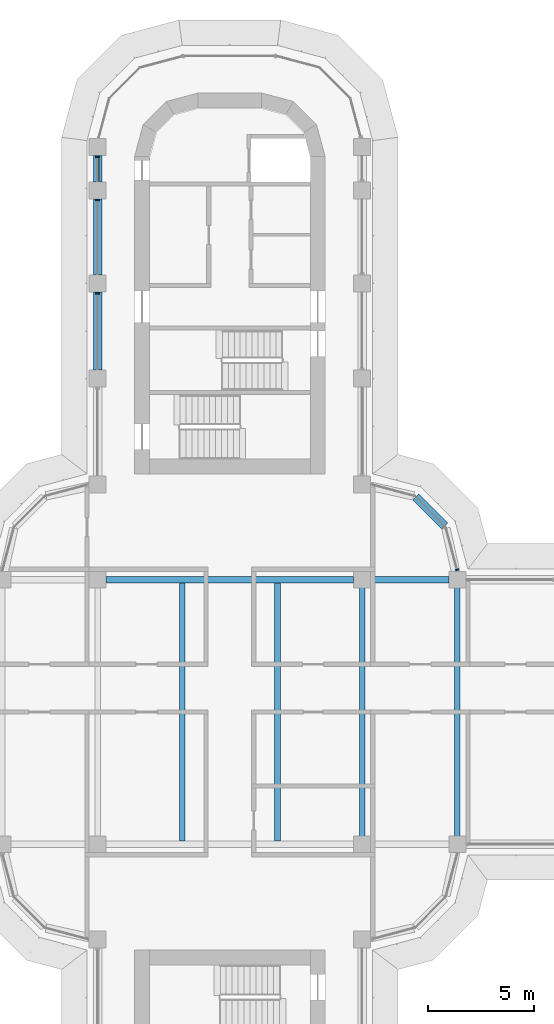
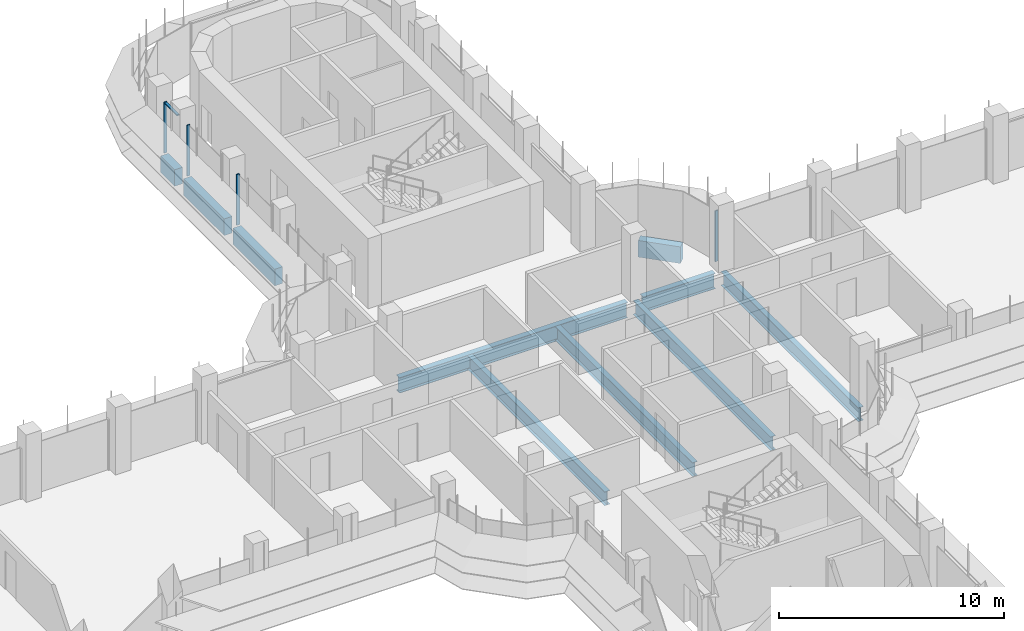
# One storey, part 7 of 20: 10 beams, 5 members, 2 elements without a shape of their own.
"""IFC4 building model written with IfcOpenShell, lengths in metres."""

from ifc_helpers import new_model, si_unit, direction, frame, origin, origin_2d, place, context, subcontext, project, spatial, polyline, rectangle, i_section, outline, extrude, source, transform, mapped, material, material_profile, profile_set, type_object, element, aggregate, save


model = new_model("IFC4")

# Units and contexts
model_context = context("Model", 3, precision=1e-05, world=origin(), true_north=direction((0.0, 1.0)))
body_context = subcontext(model_context, "Body", "Model", "MODEL_VIEW")
ifc_project = project(units=[si_unit("LENGTHUNIT", "METRE"), si_unit("AREAUNIT", "SQUARE_METRE"), si_unit("VOLUMEUNIT", "CUBIC_METRE"), si_unit("PLANEANGLEUNIT", "RADIAN"), si_unit("MASSUNIT", "GRAM", prefix="KILO")], contexts=[model_context])

# Site, building, storey
site_placement = place(None, origin())
site = spatial("IfcSite", under=ifc_project, at=site_placement, CompositionType="ELEMENT")
building_placement = place(site_placement, origin())
building = spatial("IfcBuilding", under=site, at=building_placement, Name="Zarbagh Exchange Tower", CompositionType="ELEMENT")
storey_placement = place(building_placement, frame((0.0, 0.0, 152.39990234375)))
storey = spatial("IfcBuildingStorey", under=building, at=storey_placement, Name="L36", CompositionType="ELEMENT", Elevation=152.39990234375)

# Beams
ifc_material_1 = material(Name="Steel ASTM A992 Gr 50", Category="steel")
ifc_material_profile_1 = material_profile(ifc_material_1, i_section(OverallWidth=0.26416015625, OverallDepth=0.749267578125, WebThickness=0.011962890625, FlangeThickness=0.015380859375, at=origin_2d()), Name="W30X90")
ifc_profile_set_1 = profile_set([ifc_material_profile_1], Name="Steel ASTM A992 Gr 50")
beam_type_1 = type_object("IfcBeamType", Name="Floor beam W30X90", PredefinedType="BEAM", material=ifc_profile_set_1)
for number, where, z_axis, x_axis, name in (
    (1, (-2.25, -6.10400390625, -0.5244140625), (0.0, 1.0, 0.0), (-1.0, 0.0, 0.0), "Steel floor beam"),
    (2, (2.25, -6.10400390625, -0.5244140625), (0.0, 1.0, 0.0), (-1.0, 0.0, 0.0), "Steel floor beam"),
    (3, (6.25, -6.10400390625, -0.5244140625), (0.0, 1.0, 0.0), (-1.0, 0.0, 0.0), "Steel floor beam"),
    (4, (10.75, -6.10400390625, -0.5244140625), (0.0, 1.0, 0.0), (-1.0, 0.0, 0.0), "Steel floor beam"),
):
    element("IfcBeam", number, at=place(storey_placement, frame(where, z_axis=z_axis, x_axis=x_axis)), inside=storey, type_object=beam_type_1, Name=name, PredefinedType="BEAM", context=body_context, shape_type="SweptSolid", body=[
        extrude(i_section(OverallWidth=0.26416015625, OverallDepth=0.749267578125, WebThickness=0.011962890625, FlangeThickness=0.015380859375, at=origin_2d()), origin(), (0.0, 0.0, 1.0), 12.2080078125),
    ])
ifc_material_profile_2 = material_profile(ifc_material_1, i_section(OverallWidth=0.2919921875, OverallDepth=0.835693359375, WebThickness=0.013916015625, FlangeThickness=0.018798828125, at=origin_2d()), Name="W33X118")
ifc_profile_set_2 = profile_set([ifc_material_profile_2], Name="Steel ASTM A992 Gr 50")
beam_type_2 = type_object("IfcBeamType", Name="Floor girder W33X118", PredefinedType="BEAM", material=ifc_profile_set_2)
beam_1_placement = place(storey_placement, frame((-5.85009765625, 6.25, -0.567626953125), z_axis=(1.0, 0.0, 0.0), x_axis=(0.0, 1.0, 0.0)))
element("IfcBeam", 5, at=beam_1_placement, inside=storey, type_object=beam_type_2, Name="Steel girder", PredefinedType="BEAM", context=body_context, shape_type="SweptSolid", body=[
    extrude(i_section(OverallWidth=0.2919921875, OverallDepth=0.835693359375, WebThickness=0.013916015625, FlangeThickness=0.018798828125, at=origin_2d()), origin(), (0.0, 0.0, 1.0), 11.7001953125),
])
beam_2_placement = place(storey_placement, frame((6.64990234375, 6.25, -0.567626953125), z_axis=(1.0, 0.0, 0.0), x_axis=(0.0, 1.0, 0.0)))
element("IfcBeam", 6, at=beam_2_placement, inside=storey, type_object=beam_type_2, Name="Steel girder", PredefinedType="BEAM", context=body_context, shape_type="SweptSolid", body=[
    extrude(i_section(OverallWidth=0.2919921875, OverallDepth=0.835693359375, WebThickness=0.013916015625, FlangeThickness=0.018798828125, at=origin_2d()), origin(), (0.0, 0.0, 1.0), 3.7001953125),
])
ifc_material_2 = material(Name="Concrete C50/60", Category="concrete")
ifc_material_profile_3 = material_profile(ifc_material_2, rectangle(XDim=0.39990234375, YDim=0.89990234375, at=origin_2d()), Name="RC spandrel beam 400 x 900 C50/60")
ifc_profile_set_3 = profile_set([ifc_material_profile_3], Name="Concrete C50/60")
beam_type_3 = type_object("IfcBeamType", Name="RC spandrel beam 400 x 900 C50/60", PredefinedType="SPANDREL", material=ifc_profile_set_3)
beam_3_placement = place(storey_placement, frame((-6.25, 16.14990234375, -0.599853515625), z_axis=(0.0, 1.0, 0.0), x_axis=(-1.0, 0.0, 0.0)))
element("IfcBeam", 7, at=beam_3_placement, inside=storey, type_object=beam_type_3, Name="RC spandrel beam", PredefinedType="SPANDREL", context=body_context, shape_type="SweptSolid", body=[
    extrude(rectangle(XDim=0.39990234375, YDim=0.89990234375, at=origin_2d()), origin(), (0.0, 0.0, 1.0), 3.7001953125),
])
beam_4_placement = place(storey_placement, frame((-6.25, 20.64990234375, -0.599853515625), z_axis=(0.0, 1.0, 0.0), x_axis=(-1.0, 0.0, 0.0)))
element("IfcBeam", 8, at=beam_4_placement, inside=storey, type_object=beam_type_3, Name="RC spandrel beam", PredefinedType="SPANDREL", context=body_context, shape_type="SweptSolid", body=[
    extrude(rectangle(XDim=0.39990234375, YDim=0.89990234375, at=origin_2d()), origin(), (0.0, 0.0, 1.0), 3.60009765625),
])
beam_5_placement = place(storey_placement, frame((-6.25, 25.050048828125, -0.599853515625), z_axis=(0.0, 1.0, 0.0), x_axis=(-1.0, 0.0, 0.0)))
element("IfcBeam", 9, at=beam_5_placement, inside=storey, type_object=beam_type_3, Name="RC spandrel beam", PredefinedType="SPANDREL", context=body_context, shape_type="SweptSolid", body=[
    extrude(rectangle(XDim=0.39990234375, YDim=0.89990234375, at=origin_2d()), origin(), (0.0, 0.0, 1.0), 1.25),
])
beam_6_placement = place(storey_placement, frame((8.782470703125, 10.15771484375, -0.599853515625), z_axis=(0.707106781187, -0.707106781187, 0.0), x_axis=(0.707106781187, 0.707106781187, 0.0)))
element("IfcBeam", 10, at=beam_6_placement, inside=storey, type_object=beam_type_3, Name="RC spandrel beam", PredefinedType="SPANDREL", context=body_context, shape_type="SweptSolid", body=[
    extrude(rectangle(XDim=0.39990234375, YDim=0.89990234375, at=origin_2d()), origin(), (0.0, 0.0, 1.0), 1.94482421875),
])

# Curtain wall, member
ifc_material_3 = material(Name="Anodised aluminium frame and glazing", Category="aluminium")
curtain_wall_type = type_object("IfcCurtainWallType", Name="CWB Ribbon glazing, upper zones", PredefinedType="NOTDEFINED", material=ifc_material_3)
curtain_wall_1_placement = place(storey_placement, origin())
curtain_wall_1 = element("IfcCurtainWall", 11, at=curtain_wall_1_placement, inside=storey, type_object=curtain_wall_type, Name="CWB17 curtain wall", PredefinedType="NOTDEFINED")
ifc_material_4 = material(Name="Anodised aluminium frame", Category="aluminium")
member_type_1 = type_object("IfcMemberType", Name="MUB Mullion, anodised aluminium frame", PredefinedType="MULLION", material=ifc_material_4)
shared_shape_1 = source(origin(), body_context, "Body", "SweptSolid", [
    extrude(outline(polyline([(0.0, -0.080078125), (0.06005859375, -0.080078125), (0.06005859375, 0.080078125), (0.0, 0.080078125), (0.0, -0.080078125)])), origin(), (0.0, 0.0, 1.0), 2.75),
])
placement = place(storey_placement, origin())
member_1 = element("IfcMember", 12, at=placement, type_object=member_type_1, Name="CWB17 mullion 1.1", PredefinedType="MULLION", context=body_context, shape_type="MappedRepresentation", body=[
    mapped(shared_shape_1, transform((10.74853515625, 6.68994140625, 0.0), x_axis=(-0.258824779902, 0.965924289636, 0.0), y_axis=(-0.965924289636, -0.258824779902, 0.0), z_axis=(0.0, 0.0, 1.0))),
])
aggregate(curtain_wall_1, [member_1])

# Curtain wall, members
curtain_wall_2_placement = place(storey_placement, origin())
curtain_wall_2 = element("IfcCurtainWall", 13, at=curtain_wall_2_placement, inside=storey, type_object=curtain_wall_type, Name="CWB28 curtain wall", PredefinedType="NOTDEFINED")
member_2 = element("IfcMember", 14, at=placement, type_object=member_type_1, Name="CWB28 mullion 1.1", PredefinedType="MULLION", context=body_context, shape_type="MappedRepresentation", body=[
    mapped(shared_shape_1, transform((-6.25, 26.260009765625, 0.0), x_axis=(0.0, -1.0, 0.0), y_axis=(1.0, 0.0, 0.0), z_axis=(0.0, 0.0, 1.0))),
])
member_3 = element("IfcMember", 15, at=placement, type_object=member_type_1, Name="CWB28 mullion 2.1", PredefinedType="MULLION", context=body_context, shape_type="MappedRepresentation", body=[
    mapped(shared_shape_1, transform((-6.25, 24.2099609375, 0.0), x_axis=(0.0, -1.0, 0.0), y_axis=(1.0, 0.0, 0.0), z_axis=(0.0, 0.0, 1.0))),
])
member_4 = element("IfcMember", 16, at=placement, type_object=member_type_1, Name="CWB28 mullion 3.1", PredefinedType="MULLION", context=body_context, shape_type="MappedRepresentation", body=[
    mapped(shared_shape_1, transform((-6.25, 19.81005859375, 0.0), x_axis=(0.0, -1.0, 0.0), y_axis=(1.0, 0.0, 0.0), z_axis=(0.0, 0.0, 1.0))),
])
member_type_2 = type_object("IfcMemberType", Name="TRB Transom, anodised aluminium frame", PredefinedType="USERDEFINED", material=ifc_material_4)
shared_shape_2 = source(origin(), body_context, "Body", "SweptSolid", [
    extrude(outline(polyline([(-0.06005859375, -0.06005859375), (0.0, -0.06005859375), (0.0, 0.06005859375), (-0.06005859375, 0.06005859375), (-0.06005859375, -0.06005859375)])), origin(), (0.0, 0.0, 1.0), 1.110107421875),
])
member_5 = element("IfcMember", 17, at=placement, type_object=member_type_2, Name="CWB28 transom 1.1", ObjectType="TRANSOM", PredefinedType="USERDEFINED", context=body_context, shape_type="MappedRepresentation", body=[
    mapped(shared_shape_2, transform((-6.25, 26.199951171875, 2.75), x_axis=(0.0, 0.0, 1.0), y_axis=(-1.0, 0.0, 0.0), z_axis=(0.0, -1.0, 0.0))),
])
aggregate(curtain_wall_2, [member_2, member_5, member_3, member_4])

save(model, "model.ifc")
